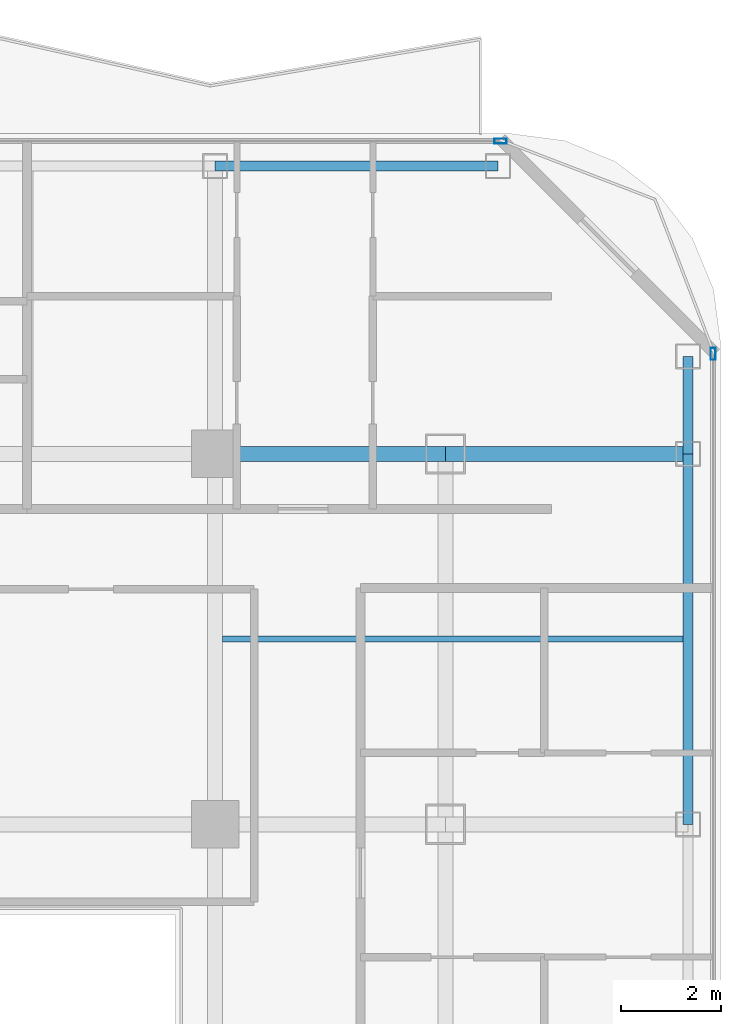
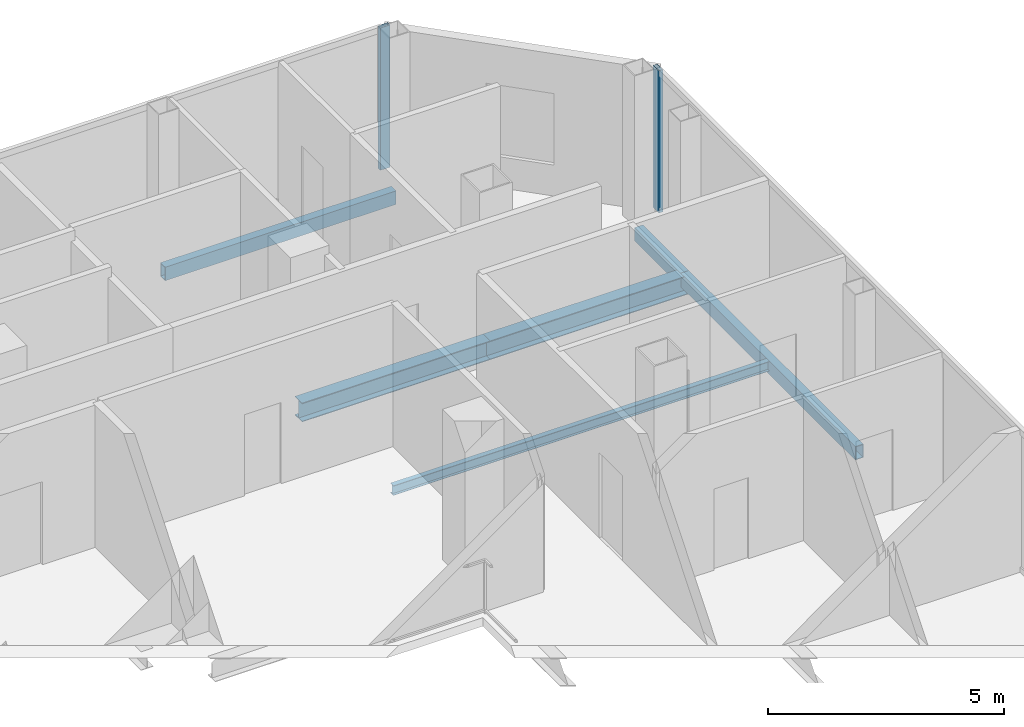
# One storey, part 14 of 23: 6 beams, 2 members, 2 elements without a shape of their own.
"""IFC4 building model written with IfcOpenShell, lengths in metres."""

import ifcopenshell
import ifcopenshell.guid

model = None  # the IFC model being written
_history = None  # IfcOwnerHistory: only IFC2X3 demands one
_inside = {}  # id of a spatial element -> (the spatial element, [elements in it])
_under = {}  # id of a project, library or spatial element -> (it, [spatial elements below it])
_declared = {}  # id of a project -> (the project, [libraries it declares])
_typed = {}  # id of a type object -> (the type object, [elements of that type])
_made_of = {}  # id of a material, layer set ... -> (it, [elements and type objects made of it])


def new_model(schema):
    """Start an empty IFC model of exactly this schema.

    Asked for "IFC4X3", IfcOpenShell would pick the latest addendum, in which some entities
    have other attributes; the version numbers below select the first issue.
    IFC2X3 requires an IfcOwnerHistory on every rooted entity: one is made here for all.
    """
    global model, _history
    if schema == "IFC4X3":
        model = ifcopenshell.file(schema_version=(4, 3, 0, 0))
    else:
        model = ifcopenshell.file(schema=schema)
    _inside.clear()
    _under.clear()
    _declared.clear()
    _typed.clear()
    _made_of.clear()
    _history = None
    if model.schema == "IFC2X3":
        org = make("IfcOrganization", Name="unknown")
        user = make(
            "IfcPersonAndOrganization",
            ThePerson=make("IfcPerson", FamilyName="unknown"),
            TheOrganization=org,
        )
        app = make(
            "IfcApplication",
            ApplicationDeveloper=org,
            Version="unknown",
            ApplicationFullName="unknown",
            ApplicationIdentifier="unknown",
        )
        _history = make(
            "IfcOwnerHistory",
            OwningUser=user,
            OwningApplication=app,
            ChangeAction="ADDED",
            CreationDate=0,
        )
    return model


def make(cls, **values):
    """One entity of the class cls with the attributes given. An attribute that is None is left unset."""
    return model.create_entity(
        cls, **{name: value for name, value in values.items() if value is not None}
    )


def rooted(cls, **values):
    """An entity with a GlobalId (a new one), such as an element, a storey or a relation."""
    return make(cls, GlobalId=ifcopenshell.guid.new(), OwnerHistory=_history, **values)


def si_unit(unit_type, name, prefix=None):
    """IfcSIUnit, for example si_unit("LENGTHUNIT", "METRE", prefix="MILLI")."""
    return make("IfcSIUnit", UnitType=unit_type, Prefix=prefix, Name=name)


def assignment(units):
    """IfcUnitAssignment: the units of a project."""
    return None if units is None else make("IfcUnitAssignment", Units=units)


def point(xyz):
    """IfcCartesianPoint."""
    return None if xyz is None else make("IfcCartesianPoint", Coordinates=xyz)


def direction(xyz):
    """IfcDirection."""
    return None if xyz is None else make("IfcDirection", DirectionRatios=xyz)


def frame(location, z_axis=None, x_axis=None):
    """IfcAxis2Placement3D, a coordinate frame: its origin and axes. An axis left out is left unset."""
    return make(
        "IfcAxis2Placement3D",
        Location=point(location),
        Axis=direction(z_axis),
        RefDirection=direction(x_axis),
    )


def frame_2d(location, x_axis=None):
    """IfcAxis2Placement2D, a coordinate frame in the plane: its origin and x axis."""
    return make(
        "IfcAxis2Placement2D", Location=point(location), RefDirection=direction(x_axis)
    )


def origin():
    """The frame at (0, 0, 0) with its axes left unset."""
    return frame((0.0, 0.0, 0.0))


def origin_2d():
    """The frame at (0, 0) in the plane with its x axis left unset."""
    return frame_2d((0.0, 0.0))


def place(relative_to, where):
    """IfcLocalPlacement: puts the frame where relative to a parent placement (None: the world)."""
    return make(
        "IfcLocalPlacement", PlacementRelTo=relative_to, RelativePlacement=where
    )


def context(
    kind, dimensions, precision=None, world=None, true_north=None, identifier=None
):
    """IfcGeometricRepresentationContext, for example the 3D "Model" context."""
    return make(
        "IfcGeometricRepresentationContext",
        ContextIdentifier=identifier,
        ContextType=kind,
        CoordinateSpaceDimension=dimensions,
        Precision=precision,
        WorldCoordinateSystem=world,
        TrueNorth=true_north,
    )


def subcontext(parent, identifier, kind, view, scale=None):
    """IfcGeometricRepresentationSubContext, for example "Body" below "Model"."""
    return make(
        "IfcGeometricRepresentationSubContext",
        ContextIdentifier=identifier,
        ContextType=kind,
        ParentContext=parent,
        TargetScale=scale,
        TargetView=view,
    )


def project(units=None, contexts=None):
    """IfcProject with its units and contexts."""
    return rooted(
        "IfcProject",
        Name="project",
        RepresentationContexts=contexts,
        UnitsInContext=assignment(units),
    )


def spatial(cls, under=None, at=None, **own):
    """A site, building, storey or space (cls), placed at a placement, below another one or the project."""
    s = rooted(cls, ObjectPlacement=at, **own)
    if under is not None:
        _under.setdefault(under.id(), (under, []))[1].append(s)
    return s


def profile(cls, at=None, kind="AREA", **sizes):
    """A parametric profile (cls). Its sizes go by their IFC names, for example OverallWidth=200.0."""
    return make(cls, ProfileType=kind, Position=at, **sizes)


def hollow_rectangle(**sizes):
    """IfcRectangleHollowProfileDef."""
    return profile("IfcRectangleHollowProfileDef", **sizes)


def i_section(**sizes):
    """IfcIShapeProfileDef."""
    return profile("IfcIShapeProfileDef", **sizes)


def extrude(swept, where, along, depth):
    """IfcExtrudedAreaSolid: the profile swept, set in the frame where, extruded along a direction by depth."""
    return make(
        "IfcExtrudedAreaSolid",
        SweptArea=swept,
        Position=where,
        ExtrudedDirection=direction(along),
        Depth=depth,
    )


def shape(context_of_items, identifier, shape_type, items):
    """IfcShapeRepresentation: the items that make up one representation, for example the "Body"."""
    return make(
        "IfcShapeRepresentation",
        ContextOfItems=context_of_items,
        RepresentationIdentifier=identifier,
        RepresentationType=shape_type,
        Items=items,
    )


def material(Name=None, Category=None):
    """IfcMaterial."""
    return make("IfcMaterial", Name=Name, Category=Category)


def layer(
    of_material, thickness, ventilated=None, Name=None, Category=None, Priority=None
):
    """IfcMaterialLayer: one layer of a wall or slab, of a material (None: an air gap)."""
    return make(
        "IfcMaterialLayer",
        Material=of_material,
        LayerThickness=thickness,
        IsVentilated=ventilated,
        Name=Name,
        Category=Category,
        Priority=Priority,
    )


def layer_set(layers, Name=None):
    """IfcMaterialLayerSet."""
    return make("IfcMaterialLayerSet", MaterialLayers=layers, LayerSetName=Name)


def material_profile(
    of_material, cross_section, Name=None, Category=None, Priority=None
):
    """IfcMaterialProfile: a cross section and its material."""
    return make(
        "IfcMaterialProfile",
        Name=Name,
        Material=of_material,
        Profile=cross_section,
        Priority=Priority,
        Category=Category,
    )


def profile_set(profiles, Name=None, composite=None):
    """IfcMaterialProfileSet."""
    return make(
        "IfcMaterialProfileSet",
        Name=Name,
        MaterialProfiles=profiles,
        CompositeProfile=composite,
    )


def made_of(thing, what):
    """Note that an element or type object is made of a material, layer set ...; save() writes the relation."""
    if what is not None:
        _made_of.setdefault(what.id(), (what, []))[1].append(thing)
    return thing


def type_object(cls, material=None, **own):
    """A type object (cls), such as IfcWallType, which elements share."""
    return made_of(rooted(cls, **own), material)


def element(
    cls,
    number,
    at=None,
    inside=None,
    cuts=None,
    type_object=None,
    material=None,
    context=None,
    identifier="Body",
    shape_type=None,
    held_by="IfcProductDefinitionShape",
    body=None,
    shapes=None,
    **own,
):
    """One element of the class cls, such as IfcWall. Its Tag is "e" and its number.

    at: its placement. inside: the storey or other place that contains it. cuts: it is an
    opening in that element (IfcRelVoidsElement). A single representation is given by context,
    identifier, shape_type and body (its items); several are given by shapes. held_by: the class
    of the entity that holds the representations. save() writes the other relations.
    """
    e = rooted(cls, Tag="e%d" % number, ObjectPlacement=at, **own)
    if body is not None:
        shapes = [shape(context, identifier, shape_type, body)]
    if shapes is not None:
        e.Representation = make(held_by, Representations=shapes)
    if inside is not None:
        _inside.setdefault(inside.id(), (inside, []))[1].append(e)
    if cuts is not None:
        rooted(
            "IfcRelVoidsElement", RelatingBuildingElement=cuts, RelatedOpeningElement=e
        )
    if type_object is not None:
        _typed.setdefault(type_object.id(), (type_object, []))[1].append(e)
    return made_of(e, material)


def aggregate(whole, parts):
    """IfcRelAggregates: a whole, such as a stair, and the parts it consists of."""
    return rooted("IfcRelAggregates", RelatingObject=whole, RelatedObjects=parts)


def save(model, path):
    """Write the relations noted so far, then the file.

    IfcRelAggregates (storeys below a building ...), IfcRelContainedInSpatialStructure (elements
    in a storey), IfcRelDefinesByType, IfcRelAssociatesMaterial and IfcRelDeclares: one each for
    every whole, place, type object, material and project.
    """
    for whole, parts in _under.values():
        aggregate(whole, parts)
    for where, things in _inside.values():
        rooted(
            "IfcRelContainedInSpatialStructure",
            RelatedElements=things,
            RelatingStructure=where,
        )
    for kind, things in _typed.values():
        rooted("IfcRelDefinesByType", RelatedObjects=things, RelatingType=kind)
    for what, things in _made_of.values():
        rooted("IfcRelAssociatesMaterial", RelatedObjects=things, RelatingMaterial=what)
    for by, libraries in _declared.values():
        rooted("IfcRelDeclares", RelatingContext=by, RelatedDefinitions=libraries)
    model.write(path)


model = new_model("IFC4")

# Units and contexts
model_context = context("Model", 3, precision=1e-05, world=origin(), true_north=direction((0.0, 1.0)))
body_context = subcontext(model_context, "Body", "Model", "MODEL_VIEW")
ifc_project = project(units=[si_unit("LENGTHUNIT", "METRE"), si_unit("AREAUNIT", "SQUARE_METRE"), si_unit("VOLUMEUNIT", "CUBIC_METRE"), si_unit("PLANEANGLEUNIT", "RADIAN"), si_unit("MASSUNIT", "GRAM", prefix="KILO")], contexts=[model_context])

# Site, building, storey
site_placement = place(None, origin())
site = spatial("IfcSite", under=ifc_project, at=site_placement, CompositionType="ELEMENT")
building_placement = place(site_placement, origin())
building = spatial("IfcBuilding", under=site, at=building_placement, Name="Khorvyn Point Tower", CompositionType="ELEMENT")
storey_placement = place(building_placement, frame((0.0, 0.0, 258.60009765625)))
storey = spatial("IfcBuildingStorey", under=building, at=storey_placement, Name="L63", CompositionType="ELEMENT", Elevation=258.60009765625)

# Curtain wall, member
ifc_material_1 = material(Name="Anodised aluminium 6063-T6 and laminated Low-E glass", Category="aluminium")
ifc_layer = layer(ifc_material_1, 0.18994140625)
ifc_layer_set = layer_set([ifc_layer], Name="Stick-Built High-Wind Curtain Wall CW-SYS-04")
curtain_wall_type = type_object("IfcCurtainWallType", Name="Stick-Built High-Wind Curtain Wall CW-SYS-04", PredefinedType="NOTDEFINED", material=ifc_layer_set)
curtain_wall_1_placement = place(storey_placement, origin())
curtain_wall_1 = element("IfcCurtainWall", 1, at=curtain_wall_1_placement, inside=storey, type_object=curtain_wall_type, Name="Curtain Wall", PredefinedType="NOTDEFINED")
ifc_material_2 = material(Name="Anodised aluminium 6063-T6", Category="aluminium")
ifc_material_profile_1 = material_profile(ifc_material_2, hollow_rectangle(XDim=0.10009765625, YDim=0.239990234375, WallThickness=0.0048828125, at=origin_2d()))
ifc_profile_set_1 = profile_set([ifc_material_profile_1], Name="Anodised aluminium 6063-T6 ALU-MUL-100x240")
member_type = type_object("IfcMemberType", Name="Anodised Aluminium 6063-T6 Mullion ALU-MUL-100x240", PredefinedType="MULLION", material=ifc_profile_set_1)
member_1_placement = place(storey_placement, frame((20.5, 21.050048828125, 0.0), z_axis=(0.0, 0.0, 1.0), x_axis=(0.0, 1.0, 0.0)))
member_1 = element("IfcMember", 2, at=member_1_placement, type_object=member_type, Name="Transom", PredefinedType="MULLION", context=body_context, shape_type="SweptSolid", body=[
    extrude(hollow_rectangle(XDim=0.10009765625, YDim=0.239990234375, WallThickness=0.0048828125, at=origin_2d()), origin(), (0.0, 0.0, 1.0), 3.679931640625),
])
aggregate(curtain_wall_1, [member_1])

curtain_wall_2_placement = place(storey_placement, origin())
curtain_wall_2 = element("IfcCurtainWall", 3, at=curtain_wall_2_placement, inside=storey, type_object=curtain_wall_type, Name="Curtain Wall", PredefinedType="NOTDEFINED")
member_2_placement = place(storey_placement, frame((24.75, 16.800048828125, 0.0), z_axis=(0.0, 0.0, 1.0), x_axis=(1.0, 0.0, 0.0)))
member_2 = element("IfcMember", 4, at=member_2_placement, type_object=member_type, Name="Transom", PredefinedType="MULLION", context=body_context, shape_type="SweptSolid", body=[
    extrude(hollow_rectangle(XDim=0.10009765625, YDim=0.239990234375, WallThickness=0.0048828125, at=origin_2d()), origin(), (0.0, 0.0, 1.0), 3.679931640625),
])
aggregate(curtain_wall_2, [member_2])

# Beams
ifc_material_3 = material(Name="Steel S355", Category="steel")
ifc_material_profile_2 = material_profile(ifc_material_3, i_section(OverallWidth=0.125, OverallDepth=0.25, WebThickness=0.006103515625, FlangeThickness=0.009033203125, at=origin_2d()))
ifc_profile_set_2 = profile_set([ifc_material_profile_2], Name="Steel S355 H250x125x6x9")
beam_type_1 = type_object("IfcBeamType", Name="Steel S355 Joist H250x125x6x9", PredefinedType="JOIST", material=ifc_profile_set_2)
beam_1_placement = place(storey_placement, frame((14.949951171875, 11.10009765625, -0.34521484375), z_axis=(1.0, 0.0, 0.0), x_axis=(0.0, 1.0, 0.0)))
element("IfcBeam", 5, at=beam_1_placement, inside=storey, type_object=beam_type_1, Name="Beam", PredefinedType="JOIST", context=body_context, shape_type="SweptSolid", body=[
    extrude(i_section(OverallWidth=0.125, OverallDepth=0.25, WebThickness=0.006103515625, FlangeThickness=0.009033203125, at=origin_2d()), origin(), (0.0, 0.0, 1.0), 9.199951171875),
])
ifc_material_profile_3 = material_profile(ifc_material_3, i_section(OverallWidth=0.300048828125, OverallDepth=0.488037109375, WebThickness=0.010986328125, FlangeThickness=0.01806640625, at=origin_2d()))
ifc_profile_set_3 = profile_set([ifc_material_profile_3], Name="Steel S355 H488x300x11x18")
beam_type_2 = type_object("IfcBeamType", Name="Steel S355 Spandrel H488x300x11x18", PredefinedType="SPANDREL", material=ifc_profile_set_3)
beam_2_placement = place(storey_placement, frame((14.800048828125, 14.800048828125, -0.464111328125), z_axis=(1.0, 0.0, 0.0), x_axis=(0.0, 1.0, 0.0)))
element("IfcBeam", 6, at=beam_2_placement, inside=storey, type_object=beam_type_2, Name="Beam", PredefinedType="SPANDREL", context=body_context, shape_type="SweptSolid", body=[
    extrude(i_section(OverallWidth=0.300048828125, OverallDepth=0.488037109375, WebThickness=0.010986328125, FlangeThickness=0.01806640625, at=origin_2d()), origin(), (0.0, 0.0, 1.0), 4.599853515625),
])
beam_3_placement = place(storey_placement, frame((19.39990234375, 14.800048828125, -0.464111328125), z_axis=(1.0, 0.0, 0.0), x_axis=(0.0, 1.0, 0.0)))
element("IfcBeam", 7, at=beam_3_placement, inside=storey, type_object=beam_type_2, Name="Beam", PredefinedType="SPANDREL", context=body_context, shape_type="SweptSolid", body=[
    extrude(i_section(OverallWidth=0.300048828125, OverallDepth=0.488037109375, WebThickness=0.010986328125, FlangeThickness=0.01806640625, at=origin_2d()), origin(), (0.0, 0.0, 1.0), 4.85009765625),
])
ifc_material_profile_4 = material_profile(ifc_material_3, hollow_rectangle(XDim=0.199951171875, YDim=0.35009765625, WallThickness=0.013916015625, at=origin_2d()))
ifc_profile_set_4 = profile_set([ifc_material_profile_4], Name="Steel S355 RHS350x200x14")
beam_type_3 = type_object("IfcBeamType", Name="Steel S355 Spandrel RHS350x200x14", PredefinedType="SPANDREL", material=ifc_profile_set_4)
beam_4_placement = place(storey_placement, frame((14.800048828125, 20.550048828125, -0.39501953125), z_axis=(1.0, 0.0, 0.0), x_axis=(0.0, 1.0, 0.0)))
element("IfcBeam", 8, at=beam_4_placement, inside=storey, type_object=beam_type_3, Name="Beam", PredefinedType="SPANDREL", context=body_context, shape_type="SweptSolid", body=[
    extrude(hollow_rectangle(XDim=0.199951171875, YDim=0.35009765625, WallThickness=0.013916015625, at=origin_2d()), origin(), (0.0, 0.0, 1.0), 5.64990234375),
])
beam_5_placement = place(storey_placement, frame((24.25, 7.39990234375, -0.39501953125), z_axis=(0.0, 1.0, 0.0), x_axis=(-1.0, 0.0, 0.0)))
element("IfcBeam", 9, at=beam_5_placement, inside=storey, type_object=beam_type_3, Name="Beam", PredefinedType="SPANDREL", context=body_context, shape_type="SweptSolid", body=[
    extrude(hollow_rectangle(XDim=0.199951171875, YDim=0.35009765625, WallThickness=0.013916015625, at=origin_2d()), origin(), (0.0, 0.0, 1.0), 7.400146484375),
])
beam_6_placement = place(storey_placement, frame((24.25, 14.800048828125, -0.39501953125), z_axis=(0.0, 1.0, 0.0), x_axis=(-1.0, 0.0, 0.0)))
element("IfcBeam", 10, at=beam_6_placement, inside=storey, type_object=beam_type_3, Name="Beam", PredefinedType="SPANDREL", context=body_context, shape_type="SweptSolid", body=[
    extrude(hollow_rectangle(XDim=0.199951171875, YDim=0.35009765625, WallThickness=0.013916015625, at=origin_2d()), origin(), (0.0, 0.0, 1.0), 1.949951171875),
])

save(model, "model.ifc")
